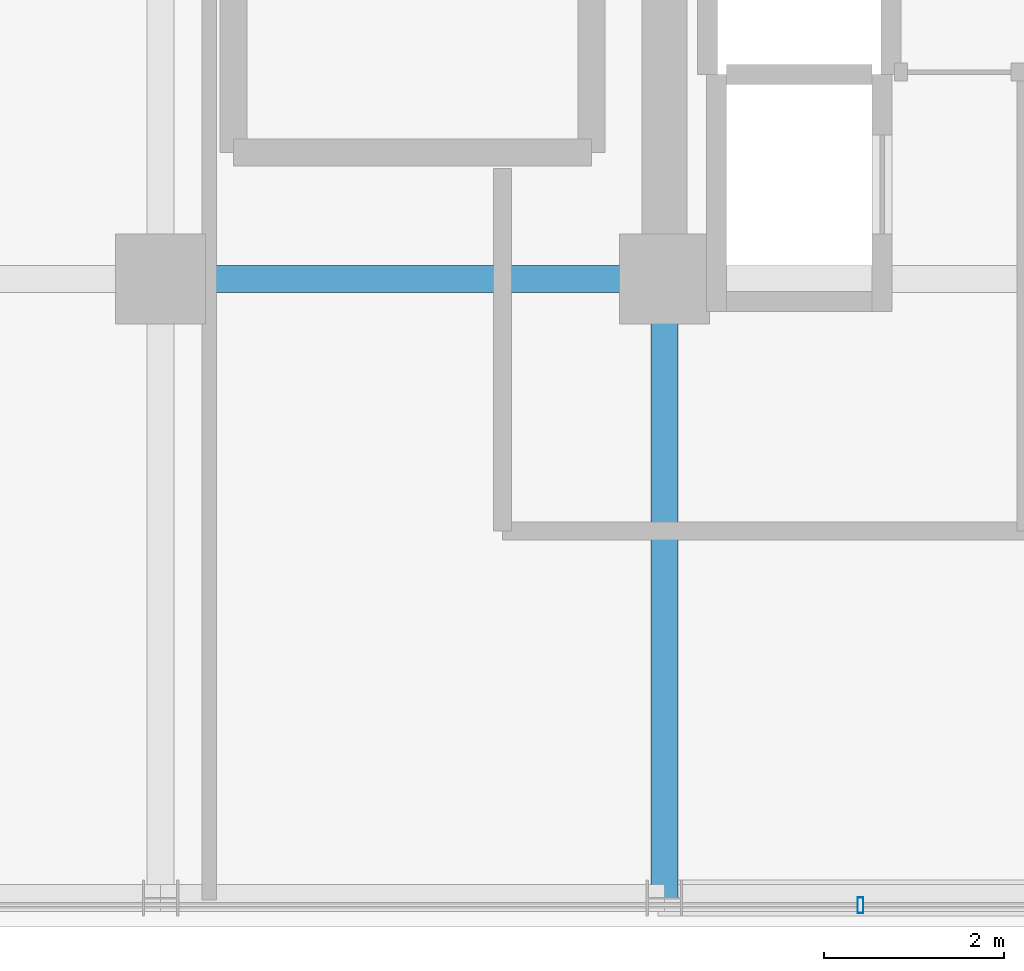
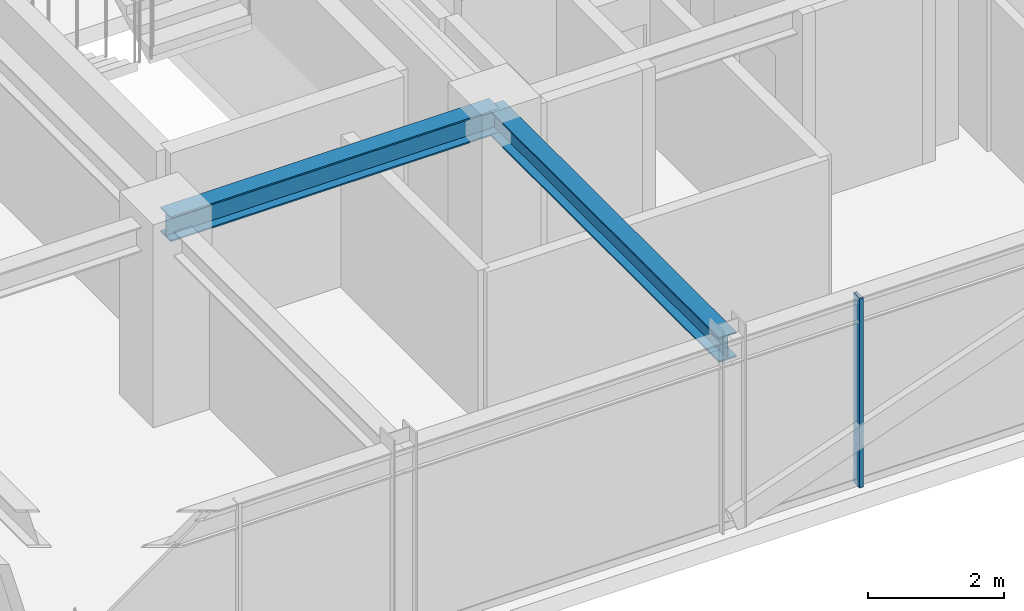
# One storey, part 12 of 36: 2 beams, 1 member, 1 element without a shape of its own.
"""IFC4 building model written with IfcOpenShell, lengths in metres."""

from ifc_helpers import new_model, si_unit, direction, frame, origin, origin_2d, place, context, subcontext, project, spatial, hollow_rectangle, i_section, extrude, source, transform, mapped, material, material_profile, profile_set, type_object, element, aggregate, save


model = new_model("IFC4")

# Units and contexts
model_context = context("Model", 3, precision=1e-05, world=origin(), true_north=direction((0.0, 1.0)))
body_context = subcontext(model_context, "Body", "Model", "MODEL_VIEW")
ifc_project = project(units=[si_unit("LENGTHUNIT", "METRE"), si_unit("AREAUNIT", "SQUARE_METRE"), si_unit("VOLUMEUNIT", "CUBIC_METRE"), si_unit("PLANEANGLEUNIT", "RADIAN"), si_unit("MASSUNIT", "GRAM", prefix="KILO")], contexts=[model_context])

# Site, building, storey
site_placement = place(None, origin())
site = spatial("IfcSite", under=ifc_project, at=site_placement, CompositionType="ELEMENT")
building_placement = place(site_placement, origin())
building = spatial("IfcBuilding", under=site, at=building_placement, Name="Nahalor Promenade Grand Hotel", CompositionType="ELEMENT")
storey_placement = place(building_placement, frame((0.0, 0.0, 212.300048828125)))
storey = spatial("IfcBuildingStorey", under=building, at=storey_placement, Name="L54", CompositionType="ELEMENT", Elevation=212.300048828125)

# Beams
ifc_material_1 = material(Name="Steel S355JR", Category="steel")
ifc_material_profile_1 = material_profile(ifc_material_1, i_section(OverallWidth=0.3, OverallDepth=0.45, WebThickness=0.014, FlangeThickness=0.026, at=origin_2d()), Name="HEB 450")
ifc_profile_set_1 = profile_set([ifc_material_profile_1], Name="Steel S355JR")
beam_type = type_object("IfcBeamType", Name="Beam-Girder-HEB450", PredefinedType="BEAM", material=ifc_profile_set_1)
shared_shape_1 = source(origin(), body_context, "Body", "SweptSolid", [
    extrude(i_section(OverallWidth=0.3, OverallDepth=0.45, WebThickness=0.014, FlangeThickness=0.026, at=origin_2d()), origin(), (0.0, 0.0, 1.0), 6.8798828125),
])
beam_1_placement = place(storey_placement, frame((8.39990234375, -23.8798828125, 3.18505859375), z_axis=(0.0, 1.0, 0.0), x_axis=(-1.0, 0.0, 0.0)))
element("IfcBeam", 1, at=beam_1_placement, inside=storey, type_object=beam_type, Name="BM-L54-GY-4-0", PredefinedType="BEAM", context=body_context, shape_type="MappedRepresentation", body=[
    mapped(shared_shape_1, transform((0.0, 0.0, 0.0), scale=1.0)),
])
shared_shape_2 = source(origin(), body_context, "Body", "SweptSolid", [
    extrude(i_section(OverallWidth=0.3, OverallDepth=0.45, WebThickness=0.014, FlangeThickness=0.026, at=origin_2d()), origin(), (0.0, 0.0, 1.0), 5.599853515625),
])
beam_2_placement = place(storey_placement, frame((2.800048828125, -17.0, 3.18505859375), z_axis=(1.0, 0.0, 0.0), x_axis=(0.0, 1.0, 0.0)))
element("IfcBeam", 2, at=beam_2_placement, inside=storey, type_object=beam_type, Name="BM-L54-GX-0-4", PredefinedType="BEAM", context=body_context, shape_type="MappedRepresentation", body=[
    mapped(shared_shape_2, transform((0.0, 0.0, 0.0), scale=1.0)),
])

# Curtain wall, member
ifc_material_2 = material(Name="Anodised Bronze Aluminium EN AW-6063 T6", Category="aluminium")
curtain_wall_type = type_object("IfcCurtainWallType", Name="CW2 Typical Hotel Flush Bronze Unitised Curtain Wall", PredefinedType="USERDEFINED", material=ifc_material_2)
curtain_wall_placement = place(storey_placement, origin())
curtain_wall = element("IfcCurtainWall", 3, at=curtain_wall_placement, inside=storey, type_object=curtain_wall_type, Name="L54 Curtain Wall CW-L54-S-1", ObjectType="UNITISED_CURTAIN_WALL", PredefinedType="USERDEFINED")
ifc_material_profile_2 = material_profile(ifc_material_2, hollow_rectangle(XDim=0.065, YDim=0.18, WallThickness=0.004, at=origin_2d()), Name="CWM 65x180x4")
ifc_profile_set_2 = profile_set([ifc_material_profile_2], Name="Anodised Bronze Aluminium EN AW-6063 T6")
member_type = type_object("IfcMemberType", Name="CWM2 Typical Bronze Mullion 65x180", PredefinedType="MULLION", material=ifc_profile_set_2)
shared_shape_3 = source(origin(), body_context, "Body", "SweptSolid", [
    extrude(hollow_rectangle(XDim=0.065, YDim=0.18, WallThickness=0.004, at=origin_2d()), origin(), (0.0, 0.0, 1.0), 3.409912109375),
])
member_placement = place(storey_placement, frame((10.580078125, -23.9599609375, 0.0), z_axis=(0.0, 0.0, 1.0), x_axis=(1.0, 0.0, 0.0)))
member = element("IfcMember", 4, at=member_placement, type_object=member_type, Name="CW-L54-S-1 Mullion 3", PredefinedType="MULLION", context=body_context, shape_type="MappedRepresentation", body=[
    mapped(shared_shape_3, transform((0.0, 0.0, 0.0), scale=1.0)),
])
aggregate(curtain_wall, [member])

save(model, "model.ifc")
